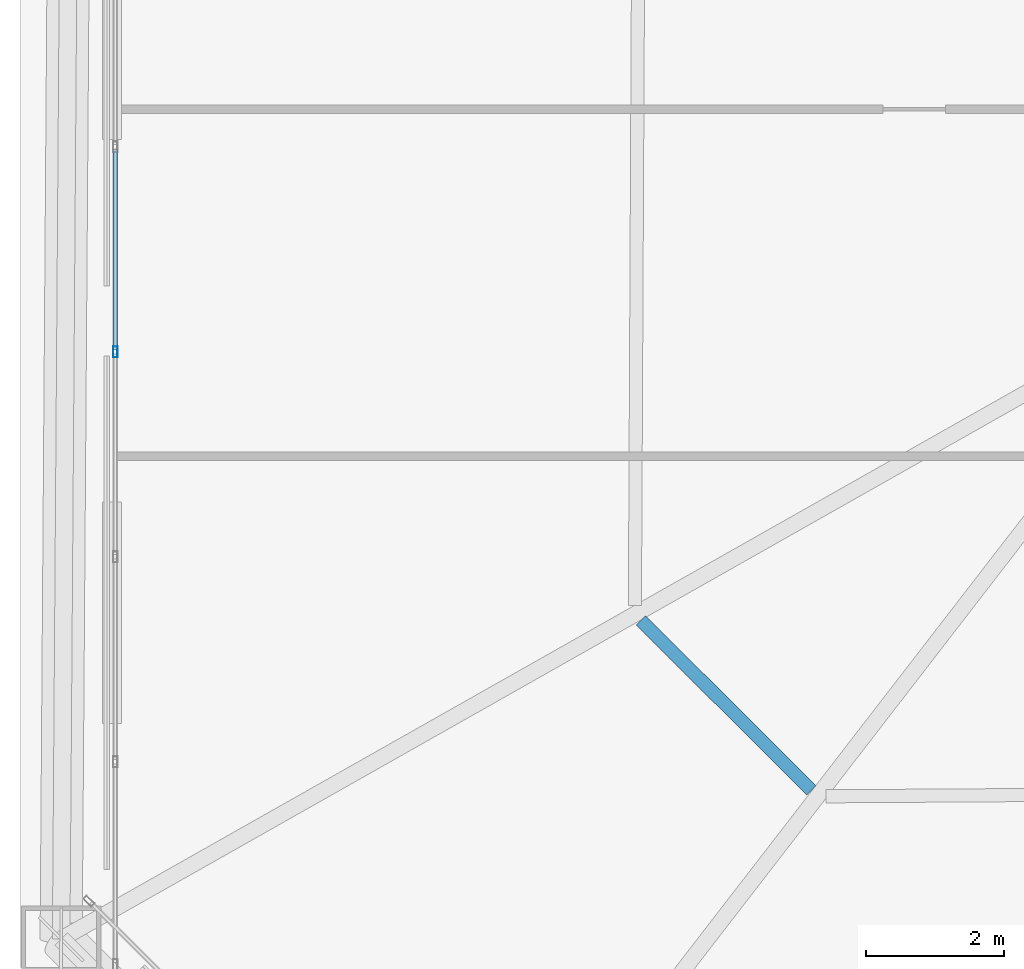
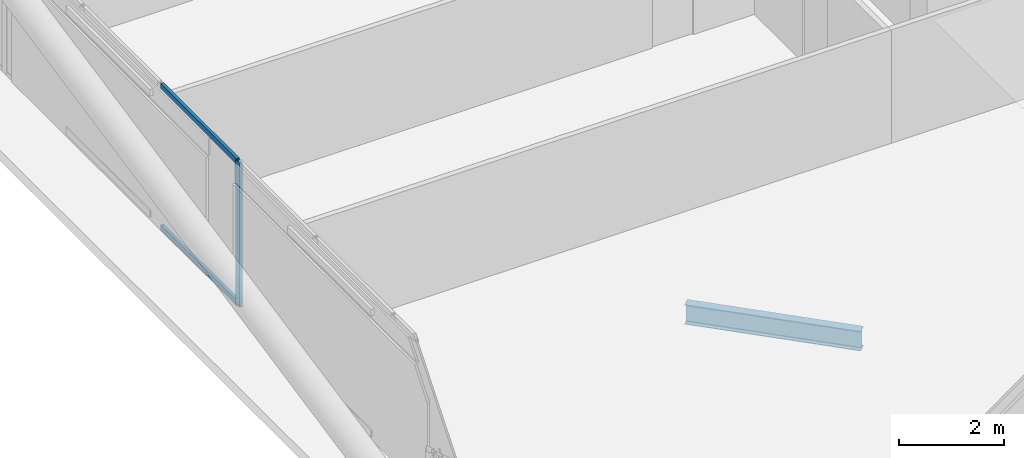
# One storey, part 7 of 50: 3 members, 1 beam, 1 element without a shape of its own.
"""IFC4 building model written with IfcOpenShell, lengths in metres."""

from ifc_helpers import new_model, si_unit, direction, frame, origin, origin_2d, place, context, subcontext, project, spatial, hollow_rectangle, i_section, extrude, material, layer, layer_set, material_profile, profile_set, type_object, element, aggregate, save


model = new_model("IFC4")

# Units and contexts
model_context = context("Model", 3, precision=1e-05, world=origin(), true_north=direction((0.0, 1.0)))
body_context = subcontext(model_context, "Body", "Model", "MODEL_VIEW")
ifc_project = project(units=[si_unit("LENGTHUNIT", "METRE"), si_unit("AREAUNIT", "SQUARE_METRE"), si_unit("VOLUMEUNIT", "CUBIC_METRE"), si_unit("PLANEANGLEUNIT", "RADIAN"), si_unit("MASSUNIT", "GRAM", prefix="KILO")], contexts=[model_context])

# Site, building, storey
site_placement = place(None, origin())
site = spatial("IfcSite", under=ifc_project, at=site_placement, CompositionType="ELEMENT")
building_placement = place(site_placement, origin())
building = spatial("IfcBuilding", under=site, at=building_placement, Name="Caelvoria Tower", CompositionType="ELEMENT")
storey_placement = place(building_placement, frame((0.0, 0.0, 71.199951171875)))
storey = spatial("IfcBuildingStorey", under=building, at=storey_placement, Name="L18", CompositionType="ELEMENT", Elevation=71.199951171875)

# Curtain wall, members
ifc_material_1 = material(Name="Anodised Bronze Aluminium and Low-E Glass", Category="aluminium")
ifc_layer = layer(ifc_material_1, 0.18505859375, Name="Anodised Bronze Aluminium and Low-E Glass")
ifc_layer_set = layer_set([ifc_layer], Name="CW System 2 Lower Tower Bronze Unitised Facade - Anodised Bronze Aluminium and Low-E Glass")
curtain_wall_type = type_object("IfcCurtainWallType", Name="CW System 2 Lower Tower Bronze Unitised Facade", PredefinedType="NOTDEFINED", material=ifc_layer_set)
curtain_wall_placement = place(storey_placement, origin())
curtain_wall = element("IfcCurtainWall", 1, at=curtain_wall_placement, inside=storey, type_object=curtain_wall_type, Name="CW-02 Curtain Wall L18-E6", PredefinedType="NOTDEFINED")
ifc_material_2 = material(Name="Anodised Bronze Architectural Aluminium", Category="aluminium")
ifc_material_profile_1 = material_profile(ifc_material_2, hollow_rectangle(XDim=0.06494140625, YDim=0.159912109375, WallThickness=0.00390625, at=origin_2d()), Name="Anodised Bronze Architectural Aluminium")
ifc_profile_set_1 = profile_set([ifc_material_profile_1], Name="CW_MULL_65X160 - Anodised Bronze Architectural Aluminium")
member_type_1 = type_object("IfcMemberType", Name="Curtain Wall Mullion 65x160 Bronze Aluminium", PredefinedType="MULLION", material=ifc_profile_set_1)
member_1_placement = place(storey_placement, frame((21.179931640625, 23.10009765625, 0.0), z_axis=(0.0, 0.0, 1.0), x_axis=(1.0, 0.0, 0.0)))
member_1 = element("IfcMember", 2, at=member_1_placement, type_object=member_type_1, Name="CW-02 mullion 10", PredefinedType="MULLION", context=body_context, shape_type="SweptSolid", body=[
    extrude(hollow_rectangle(XDim=0.06494140625, YDim=0.159912109375, WallThickness=0.00390625, at=origin_2d()), origin(), (0.0, 0.0, 1.0), 3.360107421875),
])
ifc_material_profile_2 = material_profile(ifc_material_2, hollow_rectangle(XDim=0.06494140625, YDim=0.1298828125, WallThickness=0.00341796875, at=origin_2d()), Name="Anodised Bronze Architectural Aluminium")
ifc_profile_set_2 = profile_set([ifc_material_profile_2], Name="CW_TRAN_65X130 - Anodised Bronze Architectural Aluminium")
member_type_2 = type_object("IfcMemberType", Name="Curtain Wall Transom 65x130 Bronze Aluminium", PredefinedType="USERDEFINED", material=ifc_profile_set_2)
member_2_placement = place(storey_placement, frame((21.179931640625, 26.0341796875, 0.032470703125), z_axis=(0.0, -1.0, 0.0), x_axis=(1.0, 0.0, 0.0)))
member_2 = element("IfcMember", 3, at=member_2_placement, type_object=member_type_2, Name="CW-02 transom 9.1", ObjectType="TRANSOM", PredefinedType="USERDEFINED", context=body_context, shape_type="SweptSolid", body=[
    extrude(hollow_rectangle(XDim=0.06494140625, YDim=0.1298828125, WallThickness=0.00341796875, at=origin_2d()), origin(), (0.0, 0.0, 1.0), 2.901611328125),
])
member_3_placement = place(storey_placement, frame((21.179931640625, 26.0341796875, 3.32763671875), z_axis=(0.0, -1.0, 0.0), x_axis=(1.0, 0.0, 0.0)))
member_3 = element("IfcMember", 4, at=member_3_placement, type_object=member_type_2, Name="CW-02 transom 9.2", ObjectType="TRANSOM", PredefinedType="USERDEFINED", context=body_context, shape_type="SweptSolid", body=[
    extrude(hollow_rectangle(XDim=0.06494140625, YDim=0.1298828125, WallThickness=0.00341796875, at=origin_2d()), origin(), (0.0, 0.0, 1.0), 2.901611328125),
])
aggregate(curtain_wall, [member_1, member_2, member_3])

# Beam
ifc_material_3 = material(Name="Structural Steel ASTM A992 Gr.50", Category="steel")
ifc_material_profile_3 = material_profile(ifc_material_3, i_section(OverallWidth=0.18994140625, OverallDepth=0.45703125, WebThickness=0.009033203125, FlangeThickness=0.014404296875, FilletRadius=0.014892578125, at=origin_2d()), Name="Structural Steel ASTM A992 Gr.50")
ifc_profile_set_3 = profile_set([ifc_material_profile_3], Name="W460X74 - Structural Steel ASTM A992 Gr.50")
beam_type = type_object("IfcBeamType", Name="Secondary Floor Beam W460X74", PredefinedType="BEAM", material=ifc_profile_set_3)
beam_placement = place(storey_placement, frame((28.786376953125, 19.214111328125, -0.468505859375), z_axis=(0.708192991705, -0.706018899534, 0.0), x_axis=(0.706018899534, 0.708192991705, 0.0)))
element("IfcBeam", 5, at=beam_placement, inside=storey, type_object=beam_type, Name="Secondary Floor Beam L18-11", PredefinedType="BEAM", context=body_context, shape_type="SweptSolid", body=[
    extrude(i_section(OverallWidth=0.18994140625, OverallDepth=0.45703125, WebThickness=0.009033203125, FlangeThickness=0.014404296875, FilletRadius=0.014892578125, at=origin_2d()), origin(), (0.0, 0.0, 1.0), 3.481201171875),
])

save(model, "model.ifc")
